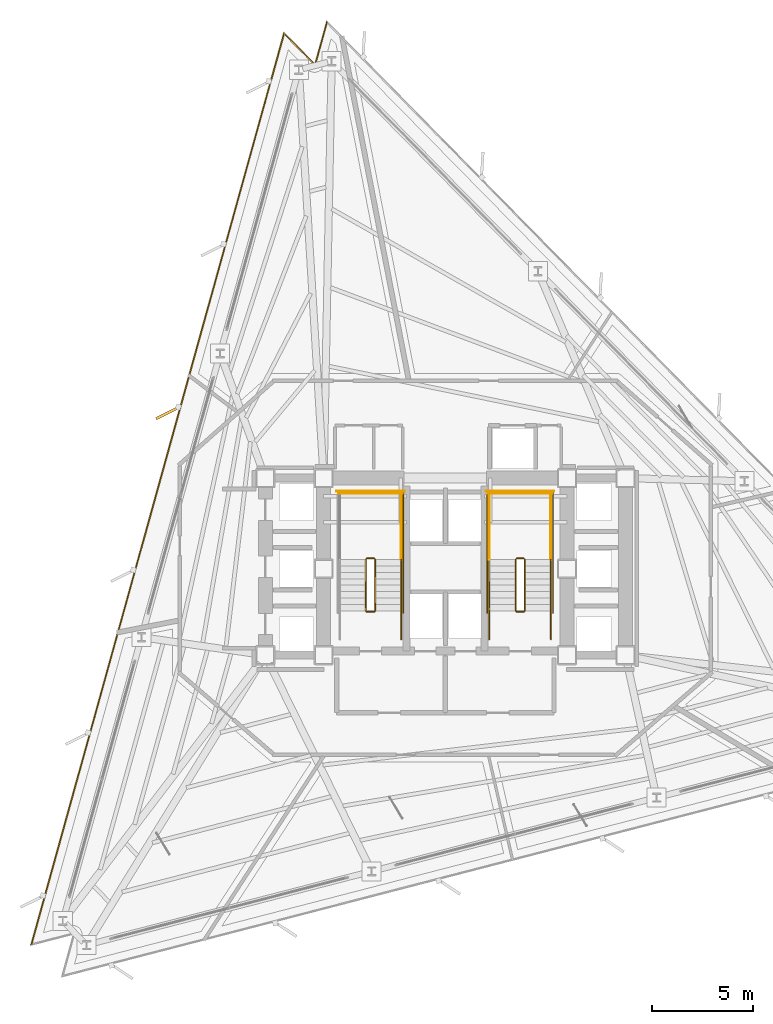
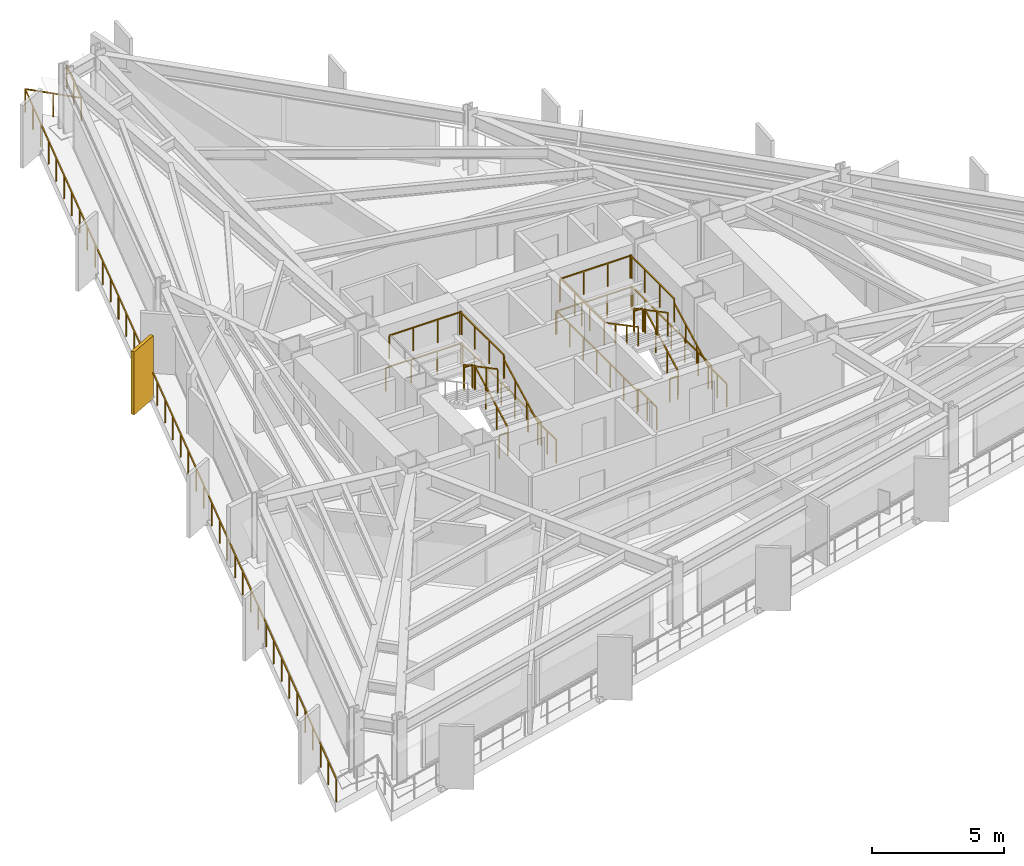
# One storey, part 10 of 11: 25 railings, 1 shading device.
"""IFC4 building model written with IfcOpenShell, lengths in metres."""

from ifc_helpers import new_model, si_unit, direction, frame, origin, origin_2d, place, context, subcontext, project, spatial, rectangle, extrude, material, layer, layer_set, type_object, element, save


model = new_model("IFC4")

# Units and contexts
model_context = context("Model", 3, precision=1e-05, world=origin(), true_north=direction((0.0, 1.0)))
body_context = subcontext(model_context, "Body", "Model", "MODEL_VIEW")
ifc_project = project(units=[si_unit("LENGTHUNIT", "METRE"), si_unit("AREAUNIT", "SQUARE_METRE"), si_unit("VOLUMEUNIT", "CUBIC_METRE"), si_unit("PLANEANGLEUNIT", "RADIAN"), si_unit("MASSUNIT", "GRAM", prefix="KILO")], contexts=[model_context])

# Site, building, storey
site_placement = place(None, origin())
site = spatial("IfcSite", under=ifc_project, at=site_placement, CompositionType="ELEMENT")
building_placement = place(site_placement, origin())
building = spatial("IfcBuilding", under=site, at=building_placement, Name="Rocaltana Carrier Exchange", CompositionType="ELEMENT")
storey_placement = place(building_placement, frame((0.0, 0.0, 76.47998046875)))
storey = spatial("IfcBuildingStorey", under=building, at=storey_placement, Name="L23", CompositionType="ELEMENT", Elevation=76.47998046875)

# Railings
ifc_material_1 = material(Name="Brushed Architectural Stainless Tube", Category="steel")
ifc_layer_1 = layer(ifc_material_1, 0.048095703125)
ifc_layer_set_1 = layer_set([ifc_layer_1], Name="Brushed Architectural Stainless Tube")
railing_type_1 = type_object("IfcRailingType", Name="Stair Wall Handrail 920", PredefinedType="HANDRAIL", material=ifc_layer_set_1)
for number, where, name in (
    (1, (-2.18994140625, -2.10009765625, 0.1689453125), "L23 ST-1 stair handrail 1"),
    (2, (5.25, -2.10009765625, 0.1689453125), "L23 ST-2 stair handrail 1"),
):
    element("IfcRailing", number, at=place(storey_placement, frame(where)), inside=storey, type_object=railing_type_1, Name=name, PredefinedType="HANDRAIL", context=body_context, shape_type="SweptSolid", body=[
        extrude(rectangle(XDim=0.048095703125, YDim=0.048095703125, at=origin_2d()), frame((0.0, 0.0, 0.8759765625), z_axis=(0.0, 0.884394423565, 0.466740295633), x_axis=(-1.0, 0.0, 0.0)), (0.0, 0.0, 1.0), 2.894775390625),
        extrude(rectangle(XDim=0.0419921875, YDim=0.0419921875, at=origin_2d()), origin(), (0.0, 0.0, 1.0), 0.851806640625),
        extrude(rectangle(XDim=0.0419921875, YDim=0.0419921875, at=origin_2d()), frame((0.0, 0.853271484375, 0.450439453125)), (0.0, 0.0, 1.0), 0.851806640625),
        extrude(rectangle(XDim=0.0419921875, YDim=0.0419921875, at=origin_2d()), frame((0.0, 1.706787109375, 0.900634765625)), (0.0, 0.0, 1.0), 0.851806640625),
        extrude(rectangle(XDim=0.0419921875, YDim=0.0419921875, at=origin_2d()), frame((0.0, 2.56005859375, 1.35107421875)), (0.0, 0.0, 1.0), 0.851806640625),
    ])
railing_1_placement = place(storey_placement, frame((2.18994140625, 0.4599609375, 1.68896484375)))
element("IfcRailing", 3, at=railing_1_placement, inside=storey, type_object=railing_type_1, Name="L23 ST-2 stair handrail 2", PredefinedType="HANDRAIL", context=body_context, shape_type="SweptSolid", body=[
    extrude(rectangle(XDim=0.048095703125, YDim=0.048095703125, at=origin_2d()), frame((0.0, 0.0, 0.8759765625), z_axis=(0.0, -0.884394423565, 0.466740295633), x_axis=(1.0, 0.0, 0.0)), (0.0, 0.0, 1.0), 2.894775390625),
    extrude(rectangle(XDim=0.0419921875, YDim=0.0419921875, at=origin_2d()), origin(), (0.0, 0.0, 1.0), 0.851806640625),
    extrude(rectangle(XDim=0.0419921875, YDim=0.0419921875, at=origin_2d()), frame((0.0, -0.853271484375, 0.450439453125)), (0.0, 0.0, 1.0), 0.851806640625),
    extrude(rectangle(XDim=0.0419921875, YDim=0.0419921875, at=origin_2d()), frame((0.0, -1.706787109375, 0.900634765625)), (0.0, 0.0, 1.0), 0.851806640625),
    extrude(rectangle(XDim=0.0419921875, YDim=0.0419921875, at=origin_2d()), frame((0.0, -2.56005859375, 1.35107421875)), (0.0, 0.0, 1.0), 0.851806640625),
])
ifc_material_2 = material(Name="Powder-Coated Aluminium 6063-T6", Category="aluminium")
ifc_layer_2 = layer(ifc_material_2, 0.048095703125)
ifc_layer_set_2 = layer_set([ifc_layer_2], Name="Powder-Coated Aluminium 6063-T6")
railing_type_2 = type_object("IfcRailingType", Name="Stair Well Guardrail 1100", PredefinedType="GUARDRAIL", material=ifc_layer_set_2)
railing_2_placement = place(storey_placement, frame((-3.489990234375, -2.10009765625, 0.1689453125)))
element("IfcRailing", 4, at=railing_2_placement, inside=storey, type_object=railing_type_2, Name="L23 ST-1 stair guard 1", PredefinedType="GUARDRAIL", context=body_context, shape_type="SweptSolid", body=[
    extrude(rectangle(XDim=0.048095703125, YDim=0.048095703125, at=origin_2d()), frame((0.0, 0.0, 1.076171875), z_axis=(0.0, 0.884394423565, 0.466740295633), x_axis=(-1.0, 0.0, 0.0)), (0.0, 0.0, 1.0), 2.894775390625),
    extrude(rectangle(XDim=0.0419921875, YDim=0.0419921875, at=origin_2d()), origin(), (0.0, 0.0, 1.0), 1.052001953125),
    extrude(rectangle(XDim=0.0419921875, YDim=0.0419921875, at=origin_2d()), frame((0.0, 0.853271484375, 0.450439453125)), (0.0, 0.0, 1.0), 1.052001953125),
    extrude(rectangle(XDim=0.0419921875, YDim=0.0419921875, at=origin_2d()), frame((0.0, 1.706787109375, 0.900634765625)), (0.0, 0.0, 1.0), 1.052001953125),
    extrude(rectangle(XDim=0.0419921875, YDim=0.0419921875, at=origin_2d()), frame((0.0, 2.56005859375, 1.35107421875)), (0.0, 0.0, 1.0), 1.052001953125),
])
railing_3_placement = place(storey_placement, frame((-3.5400390625, 0.510009765625, 1.52001953125)))
element("IfcRailing", 5, at=railing_3_placement, inside=storey, type_object=railing_type_2, Name="L23 ST-1 stair guard 2", PredefinedType="GUARDRAIL", context=body_context, shape_type="SweptSolid", body=[
    extrude(rectangle(XDim=0.048095703125, YDim=0.048095703125, at=origin_2d()), frame((0.0, 0.0, 1.076171875), z_axis=(-1.0, 0.0, 0.0), x_axis=(0.0, -1.0, 0.0)), (0.0, 0.0, 1.0), 0.35986328125),
    extrude(rectangle(XDim=0.0419921875, YDim=0.0419921875, at=origin_2d()), origin(), (0.0, 0.0, 1.0), 1.052001953125),
    extrude(rectangle(XDim=0.0419921875, YDim=0.0419921875, at=origin_2d()), frame((-0.35986328125, 0.0, 0.0)), (0.0, 0.0, 1.0), 1.052001953125),
])
railing_4_placement = place(storey_placement, frame((-2.18994140625, 0.4599609375, 1.52001953125)))
element("IfcRailing", 6, at=railing_4_placement, inside=storey, type_object=railing_type_2, Name="L23 ST-1 stair guard 3", PredefinedType="GUARDRAIL", context=body_context, shape_type="SweptSolid", body=[
    extrude(rectangle(XDim=0.048095703125, YDim=0.048095703125, at=origin_2d()), frame((0.0, 0.0, 1.076171875), z_axis=(0.0, 1.0, 0.0), x_axis=(-1.0, 0.0, 0.0)), (0.0, 0.0, 1.0), 3.340087890625),
    extrude(rectangle(XDim=0.0419921875, YDim=0.0419921875, at=origin_2d()), origin(), (0.0, 0.0, 1.0), 1.052001953125),
    extrude(rectangle(XDim=0.0419921875, YDim=0.0419921875, at=origin_2d()), frame((0.0, 1.11328125, 0.0)), (0.0, 0.0, 1.0), 1.052001953125),
    extrude(rectangle(XDim=0.0419921875, YDim=0.0419921875, at=origin_2d()), frame((0.0, 2.226806640625, 0.0)), (0.0, 0.0, 1.0), 1.052001953125),
    extrude(rectangle(XDim=0.0419921875, YDim=0.0419921875, at=origin_2d()), frame((0.0, 3.340087890625, 0.0)), (0.0, 0.0, 1.0), 1.052001953125),
])
railing_5_placement = place(storey_placement, frame((-2.139892578125, 3.75, 1.52001953125)))
element("IfcRailing", 7, at=railing_5_placement, inside=storey, type_object=railing_type_2, Name="L23 ST-1 stair guard 5", PredefinedType="GUARDRAIL", context=body_context, shape_type="SweptSolid", body=[
    extrude(rectangle(XDim=0.048095703125, YDim=0.048095703125, at=origin_2d()), frame((0.0, 0.0, 1.076171875), z_axis=(-1.0, 0.0, 0.0), x_axis=(0.0, -1.0, 0.0)), (0.0, 0.0, 1.0), 3.16015625),
    extrude(rectangle(XDim=0.0419921875, YDim=0.0419921875, at=origin_2d()), origin(), (0.0, 0.0, 1.0), 1.052001953125),
    extrude(rectangle(XDim=0.0419921875, YDim=0.0419921875, at=origin_2d()), frame((-1.053466796875, 0.0, 0.0)), (0.0, 0.0, 1.0), 1.052001953125),
    extrude(rectangle(XDim=0.0419921875, YDim=0.0419921875, at=origin_2d()), frame((-2.106689453125, 0.0, 0.0)), (0.0, 0.0, 1.0), 1.052001953125),
    extrude(rectangle(XDim=0.0419921875, YDim=0.0419921875, at=origin_2d()), frame((-3.16015625, 0.0, 0.0)), (0.0, 0.0, 1.0), 1.052001953125),
])
railing_6_placement = place(storey_placement, frame((-3.949951171875, 0.4599609375, 1.68896484375)))
element("IfcRailing", 8, at=railing_6_placement, inside=storey, type_object=railing_type_2, Name="L23 ST-1 stair guard 6", PredefinedType="GUARDRAIL", context=body_context, shape_type="SweptSolid", body=[
    extrude(rectangle(XDim=0.048095703125, YDim=0.048095703125, at=origin_2d()), frame((0.0, 0.0, 1.076171875), z_axis=(0.0, -0.884394423565, 0.466740295633), x_axis=(1.0, 0.0, 0.0)), (0.0, 0.0, 1.0), 2.894775390625),
    extrude(rectangle(XDim=0.0419921875, YDim=0.0419921875, at=origin_2d()), origin(), (0.0, 0.0, 1.0), 1.052001953125),
    extrude(rectangle(XDim=0.0419921875, YDim=0.0419921875, at=origin_2d()), frame((0.0, -0.853271484375, 0.450439453125)), (0.0, 0.0, 1.0), 1.052001953125),
    extrude(rectangle(XDim=0.0419921875, YDim=0.0419921875, at=origin_2d()), frame((0.0, -1.706787109375, 0.900634765625)), (0.0, 0.0, 1.0), 1.052001953125),
    extrude(rectangle(XDim=0.0419921875, YDim=0.0419921875, at=origin_2d()), frame((0.0, -2.56005859375, 1.35107421875)), (0.0, 0.0, 1.0), 1.052001953125),
])
railing_7_placement = place(storey_placement, frame((-3.5400390625, -2.14990234375, 0.0)))
element("IfcRailing", 9, at=railing_7_placement, inside=storey, type_object=railing_type_2, Name="L23 ST-1 stair guard 7", PredefinedType="GUARDRAIL", context=body_context, shape_type="SweptSolid", body=[
    extrude(rectangle(XDim=0.048095703125, YDim=0.048095703125, at=origin_2d()), frame((0.0, 0.0, 1.076171875), z_axis=(-1.0, 0.0, 0.0), x_axis=(0.0, -1.0, 0.0)), (0.0, 0.0, 1.0), 0.35986328125),
    extrude(rectangle(XDim=0.0419921875, YDim=0.0419921875, at=origin_2d()), origin(), (0.0, 0.0, 1.0), 1.052001953125),
    extrude(rectangle(XDim=0.0419921875, YDim=0.0419921875, at=origin_2d()), frame((-0.35986328125, 0.0, 0.0)), (0.0, 0.0, 1.0), 1.052001953125),
])
railing_8_placement = place(storey_placement, frame((-2.18994140625, -3.5, 0.0)))
element("IfcRailing", 10, at=railing_8_placement, inside=storey, type_object=railing_type_2, Name="L23 ST-1 stair guard 8", PredefinedType="GUARDRAIL", context=body_context, shape_type="SweptSolid", body=[
    extrude(rectangle(XDim=0.048095703125, YDim=0.048095703125, at=origin_2d()), frame((0.0, 0.0, 1.076171875), z_axis=(0.0, 1.0, 0.0), x_axis=(-1.0, 0.0, 0.0)), (0.0, 0.0, 1.0), 1.39990234375),
    extrude(rectangle(XDim=0.0419921875, YDim=0.0419921875, at=origin_2d()), origin(), (0.0, 0.0, 1.0), 1.052001953125),
    extrude(rectangle(XDim=0.0419921875, YDim=0.0419921875, at=origin_2d()), frame((0.0, 0.699951171875, 0.0)), (0.0, 0.0, 1.0), 1.052001953125),
    extrude(rectangle(XDim=0.0419921875, YDim=0.0419921875, at=origin_2d()), frame((0.0, 1.39990234375, 0.0)), (0.0, 0.0, 1.0), 1.052001953125),
])
railing_9_placement = place(storey_placement, frame((-2.090087890625, -2.199951171875, 0.0)))
element("IfcRailing", 11, at=railing_9_placement, inside=storey, type_object=railing_type_2, Name="L23 ST-1 stair guard 10", PredefinedType="GUARDRAIL", context=body_context, shape_type="SweptSolid", body=[
    extrude(rectangle(XDim=0.048095703125, YDim=0.048095703125, at=origin_2d()), frame((0.0, 0.0, 1.076171875), z_axis=(0.0, 1.0, 0.0), x_axis=(-1.0, 0.0, 0.0)), (0.0, 0.0, 1.0), 6.099853515625),
    extrude(rectangle(XDim=0.0419921875, YDim=0.0419921875, at=origin_2d()), origin(), (0.0, 0.0, 1.0), 1.052001953125),
    extrude(rectangle(XDim=0.0419921875, YDim=0.0419921875, at=origin_2d()), frame((0.0, 1.0166015625, 0.0)), (0.0, 0.0, 1.0), 1.052001953125),
    extrude(rectangle(XDim=0.0419921875, YDim=0.0419921875, at=origin_2d()), frame((0.0, 2.033203125, 0.0)), (0.0, 0.0, 1.0), 1.052001953125),
    extrude(rectangle(XDim=0.0419921875, YDim=0.0419921875, at=origin_2d()), frame((0.0, 3.0498046875, 0.0)), (0.0, 0.0, 1.0), 1.052001953125),
    extrude(rectangle(XDim=0.0419921875, YDim=0.0419921875, at=origin_2d()), frame((0.0, 4.066650390625, 0.0)), (0.0, 0.0, 1.0), 1.052001953125),
    extrude(rectangle(XDim=0.0419921875, YDim=0.0419921875, at=origin_2d()), frame((0.0, 5.083251953125, 0.0)), (0.0, 0.0, 1.0), 1.052001953125),
    extrude(rectangle(XDim=0.0419921875, YDim=0.0419921875, at=origin_2d()), frame((0.0, 6.099853515625, 0.0)), (0.0, 0.0, 1.0), 1.052001953125),
])
railing_10_placement = place(storey_placement, frame((-2.0400390625, 3.85009765625, 0.0)))
element("IfcRailing", 12, at=railing_10_placement, inside=storey, type_object=railing_type_2, Name="L23 ST-1 stair guard 12", PredefinedType="GUARDRAIL", context=body_context, shape_type="SweptSolid", body=[
    extrude(rectangle(XDim=0.048095703125, YDim=0.048095703125, at=origin_2d()), frame((0.0, 0.0, 1.076171875), z_axis=(-1.0, 0.0, 0.0), x_axis=(0.0, -1.0, 0.0)), (0.0, 0.0, 1.0), 3.35986328125),
    extrude(rectangle(XDim=0.0419921875, YDim=0.0419921875, at=origin_2d()), origin(), (0.0, 0.0, 1.0), 1.052001953125),
    extrude(rectangle(XDim=0.0419921875, YDim=0.0419921875, at=origin_2d()), frame((-1.119873046875, 0.0, 0.0)), (0.0, 0.0, 1.0), 1.052001953125),
    extrude(rectangle(XDim=0.0419921875, YDim=0.0419921875, at=origin_2d()), frame((-2.239990234375, 0.0, 0.0)), (0.0, 0.0, 1.0), 1.052001953125),
    extrude(rectangle(XDim=0.0419921875, YDim=0.0419921875, at=origin_2d()), frame((-3.35986328125, 0.0, 0.0)), (0.0, 0.0, 1.0), 1.052001953125),
])
railing_11_placement = place(storey_placement, frame((3.949951171875, -2.10009765625, 0.1689453125)))
element("IfcRailing", 13, at=railing_11_placement, inside=storey, type_object=railing_type_2, Name="L23 ST-2 stair guard 1", PredefinedType="GUARDRAIL", context=body_context, shape_type="SweptSolid", body=[
    extrude(rectangle(XDim=0.048095703125, YDim=0.048095703125, at=origin_2d()), frame((0.0, 0.0, 1.076171875), z_axis=(0.0, 0.884394423565, 0.466740295633), x_axis=(-1.0, 0.0, 0.0)), (0.0, 0.0, 1.0), 2.894775390625),
    extrude(rectangle(XDim=0.0419921875, YDim=0.0419921875, at=origin_2d()), origin(), (0.0, 0.0, 1.0), 1.052001953125),
    extrude(rectangle(XDim=0.0419921875, YDim=0.0419921875, at=origin_2d()), frame((0.0, 0.853271484375, 0.450439453125)), (0.0, 0.0, 1.0), 1.052001953125),
    extrude(rectangle(XDim=0.0419921875, YDim=0.0419921875, at=origin_2d()), frame((0.0, 1.706787109375, 0.900634765625)), (0.0, 0.0, 1.0), 1.052001953125),
    extrude(rectangle(XDim=0.0419921875, YDim=0.0419921875, at=origin_2d()), frame((0.0, 2.56005859375, 1.35107421875)), (0.0, 0.0, 1.0), 1.052001953125),
])
railing_12_placement = place(storey_placement, frame((3.89990234375, 0.510009765625, 1.52001953125)))
element("IfcRailing", 14, at=railing_12_placement, inside=storey, type_object=railing_type_2, Name="L23 ST-2 stair guard 2", PredefinedType="GUARDRAIL", context=body_context, shape_type="SweptSolid", body=[
    extrude(rectangle(XDim=0.048095703125, YDim=0.048095703125, at=origin_2d()), frame((0.0, 0.0, 1.076171875), z_axis=(-1.0, 0.0, 0.0), x_axis=(0.0, -1.0, 0.0)), (0.0, 0.0, 1.0), 0.35986328125),
    extrude(rectangle(XDim=0.0419921875, YDim=0.0419921875, at=origin_2d()), origin(), (0.0, 0.0, 1.0), 1.052001953125),
    extrude(rectangle(XDim=0.0419921875, YDim=0.0419921875, at=origin_2d()), frame((-0.35986328125, 0.0, 0.0)), (0.0, 0.0, 1.0), 1.052001953125),
])
for number, where, name in (
    (15, (5.25, 0.4599609375, 1.52001953125), "L23 ST-2 stair guard 3"),
    (16, (2.18994140625, 0.4599609375, 1.52001953125), "L23 ST-2 stair guard 4"),
):
    element("IfcRailing", number, at=place(storey_placement, frame(where)), inside=storey, type_object=railing_type_2, Name=name, PredefinedType="GUARDRAIL", context=body_context, shape_type="SweptSolid", body=[
        extrude(rectangle(XDim=0.048095703125, YDim=0.048095703125, at=origin_2d()), frame((0.0, 0.0, 1.076171875), z_axis=(0.0, 1.0, 0.0), x_axis=(-1.0, 0.0, 0.0)), (0.0, 0.0, 1.0), 3.340087890625),
        extrude(rectangle(XDim=0.0419921875, YDim=0.0419921875, at=origin_2d()), origin(), (0.0, 0.0, 1.0), 1.052001953125),
        extrude(rectangle(XDim=0.0419921875, YDim=0.0419921875, at=origin_2d()), frame((0.0, 1.11328125, 0.0)), (0.0, 0.0, 1.0), 1.052001953125),
        extrude(rectangle(XDim=0.0419921875, YDim=0.0419921875, at=origin_2d()), frame((0.0, 2.226806640625, 0.0)), (0.0, 0.0, 1.0), 1.052001953125),
        extrude(rectangle(XDim=0.0419921875, YDim=0.0419921875, at=origin_2d()), frame((0.0, 3.340087890625, 0.0)), (0.0, 0.0, 1.0), 1.052001953125),
    ])
railing_13_placement = place(storey_placement, frame((5.300048828125, 3.75, 1.52001953125)))
element("IfcRailing", 17, at=railing_13_placement, inside=storey, type_object=railing_type_2, Name="L23 ST-2 stair guard 5", PredefinedType="GUARDRAIL", context=body_context, shape_type="SweptSolid", body=[
    extrude(rectangle(XDim=0.048095703125, YDim=0.048095703125, at=origin_2d()), frame((0.0, 0.0, 1.076171875), z_axis=(-1.0, 0.0, 0.0), x_axis=(0.0, -1.0, 0.0)), (0.0, 0.0, 1.0), 3.16015625),
    extrude(rectangle(XDim=0.0419921875, YDim=0.0419921875, at=origin_2d()), origin(), (0.0, 0.0, 1.0), 1.052001953125),
    extrude(rectangle(XDim=0.0419921875, YDim=0.0419921875, at=origin_2d()), frame((-1.053466796875, 0.0, 0.0)), (0.0, 0.0, 1.0), 1.052001953125),
    extrude(rectangle(XDim=0.0419921875, YDim=0.0419921875, at=origin_2d()), frame((-2.106689453125, 0.0, 0.0)), (0.0, 0.0, 1.0), 1.052001953125),
    extrude(rectangle(XDim=0.0419921875, YDim=0.0419921875, at=origin_2d()), frame((-3.16015625, 0.0, 0.0)), (0.0, 0.0, 1.0), 1.052001953125),
])
railing_14_placement = place(storey_placement, frame((3.489990234375, 0.4599609375, 1.68896484375)))
element("IfcRailing", 18, at=railing_14_placement, inside=storey, type_object=railing_type_2, Name="L23 ST-2 stair guard 6", PredefinedType="GUARDRAIL", context=body_context, shape_type="SweptSolid", body=[
    extrude(rectangle(XDim=0.048095703125, YDim=0.048095703125, at=origin_2d()), frame((0.0, 0.0, 1.076171875), z_axis=(0.0, -0.884394423565, 0.466740295633), x_axis=(1.0, 0.0, 0.0)), (0.0, 0.0, 1.0), 2.894775390625),
    extrude(rectangle(XDim=0.0419921875, YDim=0.0419921875, at=origin_2d()), origin(), (0.0, 0.0, 1.0), 1.052001953125),
    extrude(rectangle(XDim=0.0419921875, YDim=0.0419921875, at=origin_2d()), frame((0.0, -0.853271484375, 0.450439453125)), (0.0, 0.0, 1.0), 1.052001953125),
    extrude(rectangle(XDim=0.0419921875, YDim=0.0419921875, at=origin_2d()), frame((0.0, -1.706787109375, 0.900634765625)), (0.0, 0.0, 1.0), 1.052001953125),
    extrude(rectangle(XDim=0.0419921875, YDim=0.0419921875, at=origin_2d()), frame((0.0, -2.56005859375, 1.35107421875)), (0.0, 0.0, 1.0), 1.052001953125),
])
railing_15_placement = place(storey_placement, frame((3.89990234375, -2.14990234375, 0.0)))
element("IfcRailing", 19, at=railing_15_placement, inside=storey, type_object=railing_type_2, Name="L23 ST-2 stair guard 7", PredefinedType="GUARDRAIL", context=body_context, shape_type="SweptSolid", body=[
    extrude(rectangle(XDim=0.048095703125, YDim=0.048095703125, at=origin_2d()), frame((0.0, 0.0, 1.076171875), z_axis=(-1.0, 0.0, 0.0), x_axis=(0.0, -1.0, 0.0)), (0.0, 0.0, 1.0), 0.35986328125),
    extrude(rectangle(XDim=0.0419921875, YDim=0.0419921875, at=origin_2d()), origin(), (0.0, 0.0, 1.0), 1.052001953125),
    extrude(rectangle(XDim=0.0419921875, YDim=0.0419921875, at=origin_2d()), frame((-0.35986328125, 0.0, 0.0)), (0.0, 0.0, 1.0), 1.052001953125),
])
for number, where, name in (
    (20, (5.25, -3.5, 0.0), "L23 ST-2 stair guard 8"),
    (21, (2.18994140625, -3.5, 0.0), "L23 ST-2 stair guard 9"),
):
    element("IfcRailing", number, at=place(storey_placement, frame(where)), inside=storey, type_object=railing_type_2, Name=name, PredefinedType="GUARDRAIL", context=body_context, shape_type="SweptSolid", body=[
        extrude(rectangle(XDim=0.048095703125, YDim=0.048095703125, at=origin_2d()), frame((0.0, 0.0, 1.076171875), z_axis=(0.0, 1.0, 0.0), x_axis=(-1.0, 0.0, 0.0)), (0.0, 0.0, 1.0), 1.39990234375),
        extrude(rectangle(XDim=0.0419921875, YDim=0.0419921875, at=origin_2d()), origin(), (0.0, 0.0, 1.0), 1.052001953125),
        extrude(rectangle(XDim=0.0419921875, YDim=0.0419921875, at=origin_2d()), frame((0.0, 0.699951171875, 0.0)), (0.0, 0.0, 1.0), 1.052001953125),
        extrude(rectangle(XDim=0.0419921875, YDim=0.0419921875, at=origin_2d()), frame((0.0, 1.39990234375, 0.0)), (0.0, 0.0, 1.0), 1.052001953125),
    ])
for number, where, name in (
    (22, (5.35009765625, -2.199951171875, 0.0), "L23 ST-2 stair guard 10"),
    (23, (2.090087890625, -2.199951171875, 0.0), "L23 ST-2 stair guard 11"),
):
    element("IfcRailing", number, at=place(storey_placement, frame(where)), inside=storey, type_object=railing_type_2, Name=name, PredefinedType="GUARDRAIL", context=body_context, shape_type="SweptSolid", body=[
        extrude(rectangle(XDim=0.048095703125, YDim=0.048095703125, at=origin_2d()), frame((0.0, 0.0, 1.076171875), z_axis=(0.0, 1.0, 0.0), x_axis=(-1.0, 0.0, 0.0)), (0.0, 0.0, 1.0), 6.099853515625),
        extrude(rectangle(XDim=0.0419921875, YDim=0.0419921875, at=origin_2d()), origin(), (0.0, 0.0, 1.0), 1.052001953125),
        extrude(rectangle(XDim=0.0419921875, YDim=0.0419921875, at=origin_2d()), frame((0.0, 1.0166015625, 0.0)), (0.0, 0.0, 1.0), 1.052001953125),
        extrude(rectangle(XDim=0.0419921875, YDim=0.0419921875, at=origin_2d()), frame((0.0, 2.033203125, 0.0)), (0.0, 0.0, 1.0), 1.052001953125),
        extrude(rectangle(XDim=0.0419921875, YDim=0.0419921875, at=origin_2d()), frame((0.0, 3.0498046875, 0.0)), (0.0, 0.0, 1.0), 1.052001953125),
        extrude(rectangle(XDim=0.0419921875, YDim=0.0419921875, at=origin_2d()), frame((0.0, 4.066650390625, 0.0)), (0.0, 0.0, 1.0), 1.052001953125),
        extrude(rectangle(XDim=0.0419921875, YDim=0.0419921875, at=origin_2d()), frame((0.0, 5.083251953125, 0.0)), (0.0, 0.0, 1.0), 1.052001953125),
        extrude(rectangle(XDim=0.0419921875, YDim=0.0419921875, at=origin_2d()), frame((0.0, 6.099853515625, 0.0)), (0.0, 0.0, 1.0), 1.052001953125),
    ])
railing_16_placement = place(storey_placement, frame((5.39990234375, 3.85009765625, 0.0)))
element("IfcRailing", 24, at=railing_16_placement, inside=storey, type_object=railing_type_2, Name="L23 ST-2 stair guard 12", PredefinedType="GUARDRAIL", context=body_context, shape_type="SweptSolid", body=[
    extrude(rectangle(XDim=0.048095703125, YDim=0.048095703125, at=origin_2d()), frame((0.0, 0.0, 1.076171875), z_axis=(-1.0, 0.0, 0.0), x_axis=(0.0, -1.0, 0.0)), (0.0, 0.0, 1.0), 3.35986328125),
    extrude(rectangle(XDim=0.0419921875, YDim=0.0419921875, at=origin_2d()), origin(), (0.0, 0.0, 1.0), 1.052001953125),
    extrude(rectangle(XDim=0.0419921875, YDim=0.0419921875, at=origin_2d()), frame((-1.119873046875, 0.0, 0.0)), (0.0, 0.0, 1.0), 1.052001953125),
    extrude(rectangle(XDim=0.0419921875, YDim=0.0419921875, at=origin_2d()), frame((-2.239990234375, 0.0, 0.0)), (0.0, 0.0, 1.0), 1.052001953125),
    extrude(rectangle(XDim=0.0419921875, YDim=0.0419921875, at=origin_2d()), frame((-3.35986328125, 0.0, 0.0)), (0.0, 0.0, 1.0), 1.052001953125),
])

# Shading device
ifc_material_3 = material(Name="Honed Bogota Sandstone & Concrete C45/55", Category="masonry")
ifc_layer_3 = layer(ifc_material_3, 0.139892578125)
ifc_layer_set_3 = layer_set([ifc_layer_3], Name="Honed Bogota Sandstone & Concrete C45/55")
shading_device_type = type_object("IfcShadingDeviceType", Name="Vertical Sandstone Shading Fin 1320x140", PredefinedType="USERDEFINED", material=ifc_layer_set_3)
shading_device_placement = place(storey_placement, frame((-13.786376953125, 7.751220703125, -0.1201171875), z_axis=(0.0, 0.0, 1.0), x_axis=(-0.894934361602, -0.44619781311, 0.0)))
element("IfcShadingDevice", 25, at=shading_device_placement, inside=storey, type_object=shading_device_type, Name="L23 Sandstone Vertical Fin F2-03", ObjectType="FIN", PredefinedType="USERDEFINED", context=body_context, shape_type="SweptSolid", body=[
    extrude(rectangle(XDim=1.320068359375, YDim=0.139892578125, at=origin_2d()), origin(), (0.0, 0.0, 1.0), 2.907958984375),
])

# Railing
ifc_material_4 = material(Name="Powder-Coated Aluminium 6063-T6", Category="aluminium")
ifc_layer_4 = layer(ifc_material_4, 0.06005859375)
ifc_layer_set_4 = layer_set([ifc_layer_4], Name="Powder-Coated Aluminium 6063-T6")
railing_type_3 = type_object("IfcRailingType", Name="Wind-Floor & Terrace Perimeter Guardrail 1100", PredefinedType="GUARDRAIL", material=ifc_layer_set_4)
railing_17_placement = place(storey_placement, frame((-20.5751953125, -18.677001953125, 0.0)))
element("IfcRailing", 26, at=railing_17_placement, inside=storey, type_object=railing_type_3, Name="L23 Perimeter Balcony Guardrail 2", PredefinedType="GUARDRAIL", context=body_context, shape_type="SweptSolid", body=[
    extrude(rectangle(XDim=0.048095703125, YDim=0.048095703125, at=origin_2d()), frame((0.0, 0.0, 1.076171875), z_axis=(0.267237621402, 0.963630662499, 0.0), x_axis=(-0.963630662499, 0.267237621402, 0.0)), (0.0, 0.0, 1.0), 46.9921875),
    extrude(rectangle(XDim=0.048095703125, YDim=0.048095703125, at=origin_2d()), frame((12.55810546875, 45.283203125, 1.076171875), z_axis=(0.700920820206, -0.713239093012, 0.0), x_axis=(0.713239093012, 0.700920820206, 0.0)), (0.0, 0.0, 1.0), 2.199951171875),
    extrude(rectangle(XDim=0.048095703125, YDim=0.048095703125, at=origin_2d()), frame((14.10009765625, 43.714111328125, 1.076171875), z_axis=(0.267237446942, 0.96363071088, 0.0), x_axis=(-0.96363071088, 0.267237446942, 0.0)), (0.0, 0.0, 1.0), 2.199951171875),
    extrude(rectangle(XDim=0.0419921875, YDim=0.0419921875, at=origin_2d()), origin(), (0.0, 0.0, 1.0), 1.052001953125),
    extrude(rectangle(XDim=0.0419921875, YDim=0.0419921875, at=origin_2d()), frame((0.31396484375, 1.132080078125, 0.0)), (0.0, 0.0, 1.0), 1.052001953125),
    extrude(rectangle(XDim=0.0419921875, YDim=0.0419921875, at=origin_2d()), frame((0.6279296875, 2.26416015625, 0.0)), (0.0, 0.0, 1.0), 1.052001953125),
    extrude(rectangle(XDim=0.0419921875, YDim=0.0419921875, at=origin_2d()), frame((0.94189453125, 3.396240234375, 0.0)), (0.0, 0.0, 1.0), 1.052001953125),
    extrude(rectangle(XDim=0.0419921875, YDim=0.0419921875, at=origin_2d()), frame((1.255859375, 4.5283203125, 0.0)), (0.0, 0.0, 1.0), 1.052001953125),
    extrude(rectangle(XDim=0.0419921875, YDim=0.0419921875, at=origin_2d()), frame((1.56982421875, 5.660400390625, 0.0)), (0.0, 0.0, 1.0), 1.052001953125),
    extrude(rectangle(XDim=0.0419921875, YDim=0.0419921875, at=origin_2d()), frame((1.8837890625, 6.79248046875, 0.0)), (0.0, 0.0, 1.0), 1.052001953125),
    extrude(rectangle(XDim=0.0419921875, YDim=0.0419921875, at=origin_2d()), frame((2.19775390625, 7.924560546875, 0.0)), (0.0, 0.0, 1.0), 1.052001953125),
    extrude(rectangle(XDim=0.0419921875, YDim=0.0419921875, at=origin_2d()), frame((2.51171875, 9.056640625, 0.0)), (0.0, 0.0, 1.0), 1.052001953125),
    extrude(rectangle(XDim=0.0419921875, YDim=0.0419921875, at=origin_2d()), frame((2.82568359375, 10.188720703125, 0.0)), (0.0, 0.0, 1.0), 1.052001953125),
    extrude(rectangle(XDim=0.0419921875, YDim=0.0419921875, at=origin_2d()), frame((3.1396484375, 11.32080078125, 0.0)), (0.0, 0.0, 1.0), 1.052001953125),
    extrude(rectangle(XDim=0.0419921875, YDim=0.0419921875, at=origin_2d()), frame((3.453369140625, 12.452880859375, 0.0)), (0.0, 0.0, 1.0), 1.052001953125),
    extrude(rectangle(XDim=0.0419921875, YDim=0.0419921875, at=origin_2d()), frame((3.767333984375, 13.5849609375, 0.0)), (0.0, 0.0, 1.0), 1.052001953125),
    extrude(rectangle(XDim=0.0419921875, YDim=0.0419921875, at=origin_2d()), frame((4.081298828125, 14.717041015625, 0.0)), (0.0, 0.0, 1.0), 1.052001953125),
    extrude(rectangle(XDim=0.0419921875, YDim=0.0419921875, at=origin_2d()), frame((4.395263671875, 15.84912109375, 0.0)), (0.0, 0.0, 1.0), 1.052001953125),
    extrude(rectangle(XDim=0.0419921875, YDim=0.0419921875, at=origin_2d()), frame((4.709228515625, 16.981201171875, 0.0)), (0.0, 0.0, 1.0), 1.052001953125),
    extrude(rectangle(XDim=0.0419921875, YDim=0.0419921875, at=origin_2d()), frame((5.023193359375, 18.11328125, 0.0)), (0.0, 0.0, 1.0), 1.052001953125),
    extrude(rectangle(XDim=0.0419921875, YDim=0.0419921875, at=origin_2d()), frame((5.337158203125, 19.245361328125, 0.0)), (0.0, 0.0, 1.0), 1.052001953125),
    extrude(rectangle(XDim=0.0419921875, YDim=0.0419921875, at=origin_2d()), frame((5.651123046875, 20.37744140625, 0.0)), (0.0, 0.0, 1.0), 1.052001953125),
    extrude(rectangle(XDim=0.0419921875, YDim=0.0419921875, at=origin_2d()), frame((5.965087890625, 21.509521484375, 0.0)), (0.0, 0.0, 1.0), 1.052001953125),
    extrude(rectangle(XDim=0.0419921875, YDim=0.0419921875, at=origin_2d()), frame((6.279052734375, 22.6416015625, 0.0)), (0.0, 0.0, 1.0), 1.052001953125),
    extrude(rectangle(XDim=0.0419921875, YDim=0.0419921875, at=origin_2d()), frame((6.593017578125, 23.773681640625, 0.0)), (0.0, 0.0, 1.0), 1.052001953125),
    extrude(rectangle(XDim=0.0419921875, YDim=0.0419921875, at=origin_2d()), frame((6.906982421875, 24.90576171875, 0.0)), (0.0, 0.0, 1.0), 1.052001953125),
    extrude(rectangle(XDim=0.0419921875, YDim=0.0419921875, at=origin_2d()), frame((7.220947265625, 26.037841796875, 0.0)), (0.0, 0.0, 1.0), 1.052001953125),
    extrude(rectangle(XDim=0.0419921875, YDim=0.0419921875, at=origin_2d()), frame((7.534912109375, 27.169921875, 0.0)), (0.0, 0.0, 1.0), 1.052001953125),
    extrude(rectangle(XDim=0.0419921875, YDim=0.0419921875, at=origin_2d()), frame((7.848876953125, 28.302001953125, 0.0)), (0.0, 0.0, 1.0), 1.052001953125),
    extrude(rectangle(XDim=0.0419921875, YDim=0.0419921875, at=origin_2d()), frame((8.162841796875, 29.43408203125, 0.0)), (0.0, 0.0, 1.0), 1.052001953125),
    extrude(rectangle(XDim=0.0419921875, YDim=0.0419921875, at=origin_2d()), frame((8.476806640625, 30.566162109375, 0.0)), (0.0, 0.0, 1.0), 1.052001953125),
    extrude(rectangle(XDim=0.0419921875, YDim=0.0419921875, at=origin_2d()), frame((8.790771484375, 31.6982421875, 0.0)), (0.0, 0.0, 1.0), 1.052001953125),
    extrude(rectangle(XDim=0.0419921875, YDim=0.0419921875, at=origin_2d()), frame((9.104736328125, 32.830322265625, 0.0)), (0.0, 0.0, 1.0), 1.052001953125),
    extrude(rectangle(XDim=0.0419921875, YDim=0.0419921875, at=origin_2d()), frame((9.41845703125, 33.96240234375, 0.0)), (0.0, 0.0, 1.0), 1.052001953125),
    extrude(rectangle(XDim=0.0419921875, YDim=0.0419921875, at=origin_2d()), frame((9.732421875, 35.094482421875, 0.0)), (0.0, 0.0, 1.0), 1.052001953125),
    extrude(rectangle(XDim=0.0419921875, YDim=0.0419921875, at=origin_2d()), frame((10.04638671875, 36.2265625, 0.0)), (0.0, 0.0, 1.0), 1.052001953125),
    extrude(rectangle(XDim=0.0419921875, YDim=0.0419921875, at=origin_2d()), frame((10.3603515625, 37.358642578125, 0.0)), (0.0, 0.0, 1.0), 1.052001953125),
    extrude(rectangle(XDim=0.0419921875, YDim=0.0419921875, at=origin_2d()), frame((10.67431640625, 38.49072265625, 0.0)), (0.0, 0.0, 1.0), 1.052001953125),
    extrude(rectangle(XDim=0.0419921875, YDim=0.0419921875, at=origin_2d()), frame((10.98828125, 39.622802734375, 0.0)), (0.0, 0.0, 1.0), 1.052001953125),
    extrude(rectangle(XDim=0.0419921875, YDim=0.0419921875, at=origin_2d()), frame((11.30224609375, 40.7548828125, 0.0)), (0.0, 0.0, 1.0), 1.052001953125),
    extrude(rectangle(XDim=0.0419921875, YDim=0.0419921875, at=origin_2d()), frame((11.6162109375, 41.886962890625, 0.0)), (0.0, 0.0, 1.0), 1.052001953125),
    extrude(rectangle(XDim=0.0419921875, YDim=0.0419921875, at=origin_2d()), frame((11.93017578125, 43.01904296875, 0.0)), (0.0, 0.0, 1.0), 1.052001953125),
    extrude(rectangle(XDim=0.0419921875, YDim=0.0419921875, at=origin_2d()), frame((12.244140625, 44.151123046875, 0.0)), (0.0, 0.0, 1.0), 1.052001953125),
    extrude(rectangle(XDim=0.0419921875, YDim=0.0419921875, at=origin_2d()), frame((12.55810546875, 45.283203125, 0.0)), (0.0, 0.0, 1.0), 1.052001953125),
    extrude(rectangle(XDim=0.0419921875, YDim=0.0419921875, at=origin_2d()), frame((13.3291015625, 44.49853515625, 0.0)), (0.0, 0.0, 1.0), 1.052001953125),
    extrude(rectangle(XDim=0.0419921875, YDim=0.0419921875, at=origin_2d()), frame((14.10009765625, 43.714111328125, 0.0)), (0.0, 0.0, 1.0), 1.052001953125),
    extrude(rectangle(XDim=0.0419921875, YDim=0.0419921875, at=origin_2d()), frame((14.39404296875, 44.77392578125, 0.0)), (0.0, 0.0, 1.0), 1.052001953125),
    extrude(rectangle(XDim=0.0419921875, YDim=0.0419921875, at=origin_2d()), frame((14.68798828125, 45.833984375, 0.0)), (0.0, 0.0, 1.0), 1.052001953125),
])

save(model, "model.ifc")
